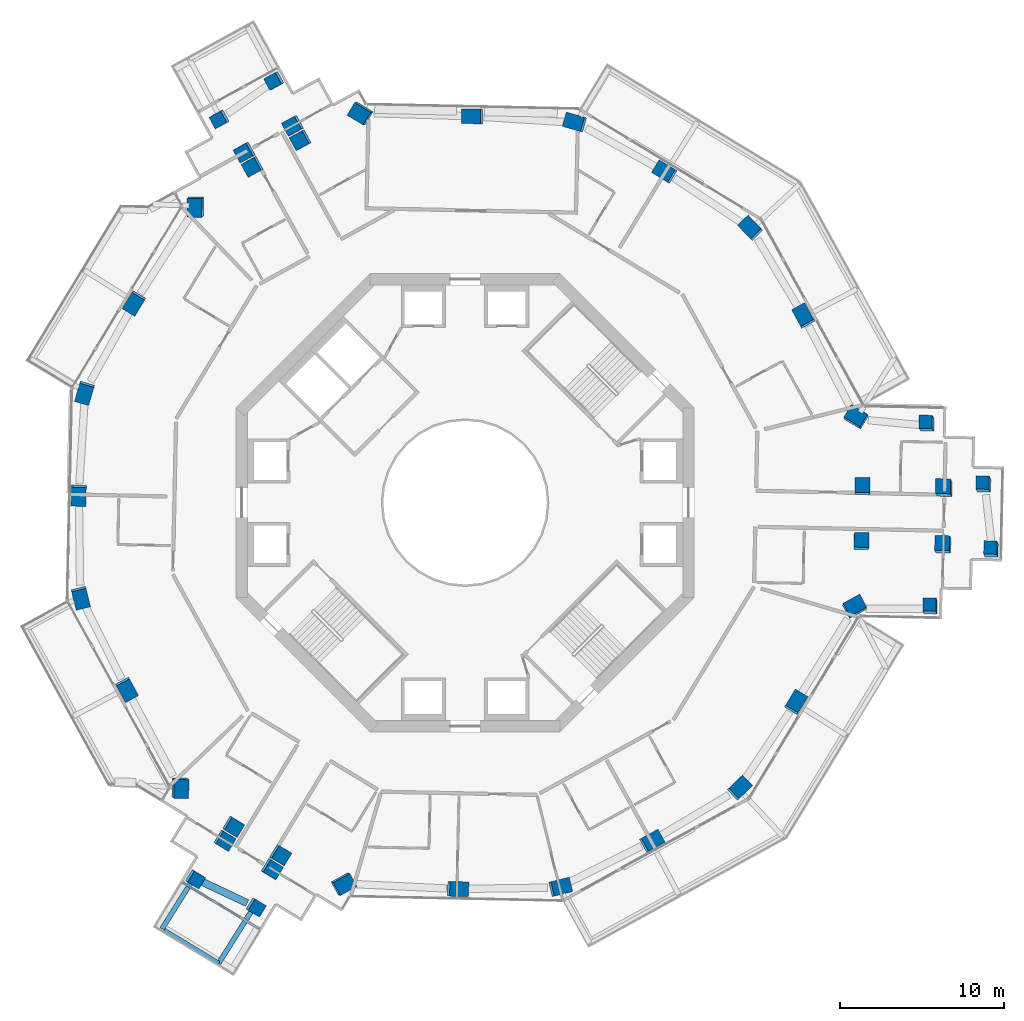
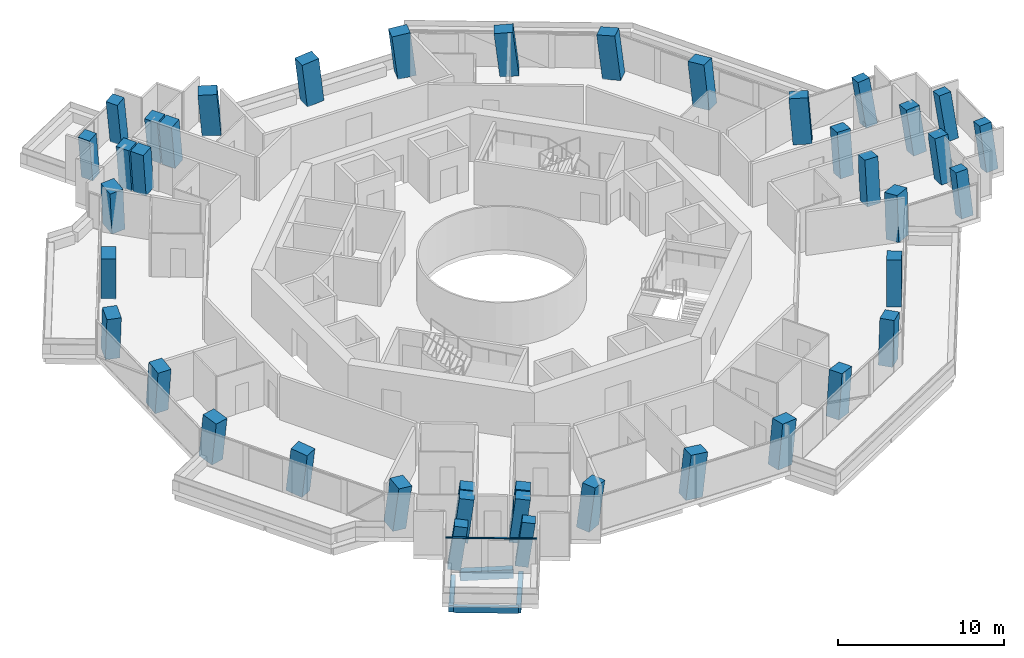
# One storey, part 1 of 22: 41 columns, 4 beams, 1 member, 1 element without a shape of its own.
"""IFC4 building model written with IfcOpenShell, lengths in metres."""

from ifc_helpers import new_model, si_unit, direction, frame, origin, origin_2d, place, context, subcontext, project, spatial, rectangle, extrude, material, layer, layer_set, material_profile, profile_set, type_object, element, aggregate, save


model = new_model("IFC4")

# Units and contexts
model_context = context("Model", 3, precision=1e-05, world=origin(), true_north=direction((0.0, 1.0)))
body_context = subcontext(model_context, "Body", "Model", "MODEL_VIEW")
ifc_project = project(units=[si_unit("LENGTHUNIT", "METRE"), si_unit("AREAUNIT", "SQUARE_METRE"), si_unit("VOLUMEUNIT", "CUBIC_METRE"), si_unit("PLANEANGLEUNIT", "RADIAN"), si_unit("MASSUNIT", "GRAM", prefix="KILO")], contexts=[model_context])

# Site, building, storey
site_placement = place(None, origin())
site = spatial("IfcSite", under=ifc_project, at=site_placement, CompositionType="ELEMENT")
building_placement = place(site_placement, origin())
building = spatial("IfcBuilding", under=site, at=building_placement, Name="Verdalira Terraces Hotel", CompositionType="ELEMENT")
storey_placement = place(building_placement, frame((0.0, 0.0, 150.5)))
storey = spatial("IfcBuildingStorey", under=building, at=storey_placement, Name="L36", CompositionType="ELEMENT", Elevation=150.5)

# Columns
ifc_material_1 = material(Name="Concrete C60", Category="concrete")
ifc_material_profile_1 = material_profile(ifc_material_1, rectangle(XDim=1.149902, YDim=0.899902, at=origin_2d()), Name="RC 1150X900")
ifc_profile_set_1 = profile_set([ifc_material_profile_1], Name="Concrete C60")
column_type_1 = type_object("IfcColumnType", Name="Column RC 1150X900 C60", PredefinedType="COLUMN", material=ifc_profile_set_1)
column_1_placement = place(storey_placement, frame((-16.435791, 18.106445, 0.0), z_axis=(-0.085441544, -0.078828186, 0.993219945), x_axis=(0.014387845, 0.996663735, 0.080339219)))
element("IfcColumn", 1, at=column_1_placement, inside=storey, type_object=column_type_1, Name="Column C01", PredefinedType="COLUMN", context=body_context, shape_type="SweptSolid", body=[
    extrude(rectangle(XDim=1.149902, YDim=0.899902, at=origin_2d()), origin(), (0.0, 0.0, 1.0), 3.21167),
])
column_2_placement = place(storey_placement, frame((-20.193604, 12.229736, 0.0), z_axis=(-0.057418061, -0.096507973, 0.993674684), x_axis=(-0.515299129, -0.849621729, -0.112293037)))
element("IfcColumn", 2, at=column_2_placement, inside=storey, type_object=column_type_1, Name="Column C02", PredefinedType="COLUMN", context=body_context, shape_type="SweptSolid", body=[
    extrude(rectangle(XDim=1.149902, YDim=0.899902, at=origin_2d()), origin(), (0.0, 0.0, 1.0), 3.210205),
])
column_3_placement = place(storey_placement, frame((-23.232178, 6.749512, 0.0), z_axis=(-0.031170704, -0.11077004, 0.993357129), x_axis=(0.277188554, 0.953900326, 0.115068122)))
element("IfcColumn", 3, at=column_3_placement, inside=storey, type_object=column_type_1, Name="Column C03", PredefinedType="COLUMN", context=body_context, shape_type="SweptSolid", body=[
    extrude(rectangle(XDim=1.149902, YDim=0.899902, at=origin_2d()), origin(), (0.0, 0.0, 1.0), 3.211182),
])
column_4_placement = place(storey_placement, frame((-23.603271, 0.494385, 0.0), z_axis=(-0.001368902, -0.112325982, 0.993670468), x_axis=(-0.020539358, -0.993458621, -0.11233033)))
element("IfcColumn", 4, at=column_4_placement, inside=storey, type_object=column_type_1, Name="Column C04", PredefinedType="COLUMN", context=body_context, shape_type="SweptSolid", body=[
    extrude(rectangle(XDim=1.149902, YDim=0.899902, at=origin_2d()), origin(), (0.0, 0.0, 1.0), 3.210205),
])
column_5_placement = place(storey_placement, frame((-23.494385, -5.770752, 0.0), z_axis=(0.028357716, -0.111530214, 0.993356357), x_axis=(-0.23660071, 0.964768313, 0.115074788)))
element("IfcColumn", 5, at=column_5_placement, inside=storey, type_object=column_type_1, Name="Column C05", PredefinedType="COLUMN", context=body_context, shape_type="SweptSolid", body=[
    extrude(rectangle(XDim=1.149902, YDim=0.899902, at=origin_2d()), origin(), (0.0, 0.0, 1.0), 3.211182),
])
column_6_placement = place(storey_placement, frame((-20.687988, -11.373291, 0.0), z_axis=(0.054908013, -0.098028295, 0.993667733), x_axis=(0.478217839, -0.871024775, -0.112354524)))
element("IfcColumn", 6, at=column_6_placement, inside=storey, type_object=column_type_1, Name="Column C06", PredefinedType="COLUMN", context=body_context, shape_type="SweptSolid", body=[
    extrude(rectangle(XDim=1.149902, YDim=0.899902, at=origin_2d()), origin(), (0.0, 0.0, 1.0), 3.210205),
])
column_7_placement = place(storey_placement, frame((-17.433594, -17.396973, 0.0), z_axis=(0.083381119, -0.082164986, 0.993124617), x_axis=(0.027717216, 0.99640068, 0.080108935)))
element("IfcColumn", 7, at=column_7_placement, inside=storey, type_object=column_type_1, Name="Column C07", PredefinedType="COLUMN", context=body_context, shape_type="SweptSolid", body=[
    extrude(rectangle(XDim=1.149902, YDim=0.899902, at=origin_2d()), origin(), (0.0, 0.0, 1.0), 3.211914),
])
column_8_placement = place(storey_placement, frame((-7.462891, -23.287109, 0.0), z_axis=(0.111057906, -0.034586822, 0.993211908), x_axis=(-0.870263238, -0.485983416, 0.080386663)))
element("IfcColumn", 8, at=column_8_placement, inside=storey, type_object=column_type_1, Name="Column C10", PredefinedType="COLUMN", context=body_context, shape_type="SweptSolid", body=[
    extrude(rectangle(XDim=1.149902, YDim=0.899902, at=origin_2d()), origin(), (0.0, 0.0, 1.0), 3.21167),
])
column_9_placement = place(storey_placement, frame((-0.494385, -23.603271, 0.0), z_axis=(0.112325982, -0.001368902, 0.993670468), x_axis=(0.993458621, -0.020539358, -0.11233033)))
element("IfcColumn", 9, at=column_9_placement, inside=storey, type_object=column_type_1, Name="Column C11", PredefinedType="COLUMN", context=body_context, shape_type="SweptSolid", body=[
    extrude(rectangle(XDim=1.149902, YDim=0.899902, at=origin_2d()), origin(), (0.0, 0.0, 1.0), 3.210205),
])
column_10_placement = place(storey_placement, frame((5.770752, -23.494385, 0.0), z_axis=(0.111530214, 0.028357716, 0.993356357), x_axis=(-0.964768313, -0.23660071, 0.115074788)))
element("IfcColumn", 10, at=column_10_placement, inside=storey, type_object=column_type_1, Name="Column C12", PredefinedType="COLUMN", context=body_context, shape_type="SweptSolid", body=[
    extrude(rectangle(XDim=1.149902, YDim=0.899902, at=origin_2d()), origin(), (0.0, 0.0, 1.0), 3.211182),
])
column_11_placement = place(storey_placement, frame((11.373291, -20.687988, 0.0), z_axis=(0.098028295, 0.054908013, 0.993667733), x_axis=(0.871024775, 0.478217839, -0.112354524)))
element("IfcColumn", 11, at=column_11_placement, inside=storey, type_object=column_type_1, Name="Column C13", PredefinedType="COLUMN", context=body_context, shape_type="SweptSolid", body=[
    extrude(rectangle(XDim=1.149902, YDim=0.899902, at=origin_2d()), origin(), (0.0, 0.0, 1.0), 3.210205),
])
column_12_placement = place(storey_placement, frame((16.744873, -17.461182, 0.0), z_axis=(0.082336971, 0.080284249, 0.993365523), x_axis=(-0.717087466, -0.687431138, 0.114995638)))
element("IfcColumn", 12, at=column_12_placement, inside=storey, type_object=column_type_1, Name="Column C14", PredefinedType="COLUMN", context=body_context, shape_type="SweptSolid", body=[
    extrude(rectangle(XDim=1.149902, YDim=0.899902, at=origin_2d()), origin(), (0.0, 0.0, 1.0), 3.211182),
])
column_13_placement = place(storey_placement, frame((20.193604, -12.229736, 0.0), z_axis=(0.057418061, 0.096507973, 0.993674684), x_axis=(0.515299129, 0.849621729, -0.112293037)))
element("IfcColumn", 13, at=column_13_placement, inside=storey, type_object=column_type_1, Name="Column C15", PredefinedType="COLUMN", context=body_context, shape_type="SweptSolid", body=[
    extrude(rectangle(XDim=1.149902, YDim=0.899902, at=origin_2d()), origin(), (0.0, 0.0, 1.0), 3.210205),
])
column_14_placement = place(storey_placement, frame((23.783203, -6.399414, 0.0), z_axis=(0.029415142, 0.113328106, 0.993122092), x_axis=(-0.876529294, -0.474633129, 0.08012359)))
element("IfcColumn", 14, at=column_14_placement, inside=storey, type_object=column_type_1, Name="Column C16", PredefinedType="COLUMN", context=body_context, shape_type="SweptSolid", body=[
    extrude(rectangle(XDim=1.149902, YDim=0.899902, at=origin_2d()), origin(), (0.0, 0.0, 1.0), 3.211914),
])
column_15_placement = place(storey_placement, frame((23.898682, 5.180664, 0.0), z_axis=(-0.025617194, 0.113414997, 0.993217397), x_axis=(0.856238754, -0.510292454, 0.080354263)))
element("IfcColumn", 15, at=column_15_placement, inside=storey, type_object=column_type_1, Name="Column C21", PredefinedType="COLUMN", context=body_context, shape_type="SweptSolid", body=[
    extrude(rectangle(XDim=1.149902, YDim=0.899902, at=origin_2d()), origin(), (0.0, 0.0, 1.0), 3.21167),
])
column_16_placement = place(storey_placement, frame((20.687988, 11.373291, 0.0), z_axis=(-0.054908013, 0.098028295, 0.993667733), x_axis=(-0.478217839, 0.871024775, -0.112354524)))
element("IfcColumn", 16, at=column_16_placement, inside=storey, type_object=column_type_1, Name="Column C22", PredefinedType="COLUMN", context=body_context, shape_type="SweptSolid", body=[
    extrude(rectangle(XDim=1.149902, YDim=0.899902, at=origin_2d()), origin(), (0.0, 0.0, 1.0), 3.210205),
])
column_17_placement = place(storey_placement, frame((17.461182, 16.744873, 0.0), z_axis=(-0.080284249, 0.082336971, 0.993365523), x_axis=(0.687431138, -0.717087466, 0.114995638)))
element("IfcColumn", 17, at=column_17_placement, inside=storey, type_object=column_type_1, Name="Column C23", PredefinedType="COLUMN", context=body_context, shape_type="SweptSolid", body=[
    extrude(rectangle(XDim=1.149902, YDim=0.899902, at=origin_2d()), origin(), (0.0, 0.0, 1.0), 3.211182),
])
column_18_placement = place(storey_placement, frame((12.229736, 20.193604, 0.0), z_axis=(-0.096507973, 0.057418061, 0.993674684), x_axis=(-0.849621729, 0.515299129, -0.112293037)))
element("IfcColumn", 18, at=column_18_placement, inside=storey, type_object=column_type_1, Name="Column C24", PredefinedType="COLUMN", context=body_context, shape_type="SweptSolid", body=[
    extrude(rectangle(XDim=1.149902, YDim=0.899902, at=origin_2d()), origin(), (0.0, 0.0, 1.0), 3.210205),
])
column_19_placement = place(storey_placement, frame((6.749512, 23.232178, 0.0), z_axis=(-0.11077004, 0.031170704, 0.993357129), x_axis=(0.953900326, -0.277188554, 0.115068122)))
element("IfcColumn", 19, at=column_19_placement, inside=storey, type_object=column_type_1, Name="Column C25", PredefinedType="COLUMN", context=body_context, shape_type="SweptSolid", body=[
    extrude(rectangle(XDim=1.149902, YDim=0.899902, at=origin_2d()), origin(), (0.0, 0.0, 1.0), 3.211182),
])
column_20_placement = place(storey_placement, frame((0.494385, 23.603271, 0.0), z_axis=(-0.112325982, 0.001368902, 0.993670468), x_axis=(-0.993458621, 0.020539358, -0.11233033)))
element("IfcColumn", 20, at=column_20_placement, inside=storey, type_object=column_type_1, Name="Column C26", PredefinedType="COLUMN", context=body_context, shape_type="SweptSolid", body=[
    extrude(rectangle(XDim=1.149902, YDim=0.899902, at=origin_2d()), origin(), (0.0, 0.0, 1.0), 3.210205),
])
column_21_placement = place(storey_placement, frame((-6.349365, 23.796387, 0.0), z_axis=(-0.11287217, -0.031087352, 0.993123079), x_axis=(0.848846004, -0.522533817, 0.080117862)))
element("IfcColumn", 21, at=column_21_placement, inside=storey, type_object=column_type_1, Name="Column C27", PredefinedType="COLUMN", context=body_context, shape_type="SweptSolid", body=[
    extrude(rectangle(XDim=1.149902, YDim=0.899902, at=origin_2d()), origin(), (0.0, 0.0, 1.0), 3.211914),
])
ifc_material_2 = material(Name="Concrete C60", Category="concrete")
ifc_material_profile_2 = material_profile(ifc_material_2, rectangle(XDim=0.800049, YDim=0.800049, at=origin_2d()), Name="RC 800X800")
ifc_profile_set_2 = profile_set([ifc_material_profile_2], Name="Concrete C60")
column_type_2 = type_object("IfcColumnType", Name="Column RC 800X800 C60", PredefinedType="COLUMN", material=ifc_profile_set_2)
column_22_placement = place(storey_placement, frame((-16.537109, -22.962891, 0.0), z_axis=(0.109516581, -0.077511043, 0.990958201), x_axis=(0.848259737, -0.512392808, -0.133824622)))
element("IfcColumn", 22, at=column_22_placement, inside=storey, type_object=column_type_2, Name="Column C08", PredefinedType="COLUMN", context=body_context, shape_type="SweptSolid", body=[
    extrude(rectangle(XDim=0.800049, YDim=0.800049, at=origin_2d()), origin(), (0.0, 0.0, 1.0), 3.218994),
])
column_23_placement = place(storey_placement, frame((-12.836426, -24.689697, 0.0), z_axis=(0.117590733, -0.059933341, 0.991251943), x_axis=(0.847109179, -0.514861108, -0.131620963)))
element("IfcColumn", 23, at=column_23_placement, inside=storey, type_object=column_type_2, Name="Column C09", PredefinedType="COLUMN", context=body_context, shape_type="SweptSolid", body=[
    extrude(rectangle(XDim=0.800049, YDim=0.800049, at=origin_2d()), origin(), (0.0, 0.0, 1.0), 3.218018),
])
column_24_placement = place(storey_placement, frame((28.43335, -6.386963, 0.0), z_axis=(-0.044921432, 0.135294567, 0.989786565), x_axis=(0.998775597, -0.014468687, 0.047307133)))
element("IfcColumn", 24, at=column_24_placement, inside=storey, type_object=column_type_2, Name="Column C17", PredefinedType="COLUMN", context=body_context, shape_type="SweptSolid", body=[
    extrude(rectangle(XDim=0.800049, YDim=0.800049, at=origin_2d()), origin(), (0.0, 0.0, 1.0), 3.2229),
])
column_25_placement = place(storey_placement, frame((32.166504, -2.924316, 0.0), z_axis=(-0.061227097, 0.152350533, 0.986428182), x_axis=(0.030796399, 0.988100158, -0.150697248)))
element("IfcColumn", 25, at=column_25_placement, inside=storey, type_object=column_type_2, Name="Column C18", PredefinedType="COLUMN", context=body_context, shape_type="SweptSolid", body=[
    extrude(rectangle(XDim=0.800049, YDim=0.800049, at=origin_2d()), origin(), (0.0, 0.0, 1.0), 3.233887),
])
column_26_placement = place(storey_placement, frame((31.709717, 1.046143, 0.0), z_axis=(-0.079947734, 0.14986429, 0.985468952), x_axis=(0.032984551, 0.988489837, -0.147647764)))
element("IfcColumn", 26, at=column_26_placement, inside=storey, type_object=column_type_2, Name="Column C19", PredefinedType="COLUMN", context=body_context, shape_type="SweptSolid", body=[
    extrude(rectangle(XDim=0.800049, YDim=0.800049, at=origin_2d()), origin(), (0.0, 0.0, 1.0), 3.237061),
])
column_27_placement = place(storey_placement, frame((28.24707, 4.779541, 0.0), z_axis=(-0.09744774, 0.13345283, 0.986252645), x_axis=(-0.995024556, 0.007585121, -0.099340823)))
element("IfcColumn", 27, at=column_27_placement, inside=storey, type_object=column_type_2, Name="Column C20", PredefinedType="COLUMN", context=body_context, shape_type="SweptSolid", body=[
    extrude(rectangle(XDim=0.800049, YDim=0.800049, at=origin_2d()), origin(), (0.0, 0.0, 1.0), 3.234375),
])
column_28_placement = place(storey_placement, frame((-11.61792, 25.802979, 0.0), z_axis=(-0.121878759, -0.056123386, 0.990956979), x_axis=(-0.867752275, -0.478638224, -0.133833629)))
element("IfcColumn", 28, at=column_28_placement, inside=storey, type_object=column_type_2, Name="Column C28", PredefinedType="COLUMN", context=body_context, shape_type="SweptSolid", body=[
    extrude(rectangle(XDim=0.800049, YDim=0.800049, at=origin_2d()), origin(), (0.0, 0.0, 1.0), 3.218994),
])
column_29_placement = place(storey_placement, frame((-14.963623, 23.46167, 0.0), z_axis=(-0.110761098, -0.071994714, 0.991235966), x_axis=(-0.869168093, -0.476645831, -0.131740572)))
element("IfcColumn", 29, at=column_29_placement, inside=storey, type_object=column_type_2, Name="Column C29", PredefinedType="COLUMN", context=body_context, shape_type="SweptSolid", body=[
    extrude(rectangle(XDim=0.800049, YDim=0.800049, at=origin_2d()), origin(), (0.0, 0.0, 1.0), 3.218262),
])
ifc_material_3 = material(Name="Concrete C60", Category="concrete")
ifc_material_profile_3 = material_profile(ifc_material_3, rectangle(XDim=0.899902, YDim=0.899902, at=origin_2d()), Name="RC 900X900")
ifc_profile_set_3 = profile_set([ifc_material_profile_3], Name="Concrete C60")
column_type_3 = type_object("IfcColumnType", Name="Column RC 900X900 C60", PredefinedType="COLUMN", material=ifc_profile_set_3)
for number, where, z_axis, x_axis, name in (
    (30, (-10.015869, 22.17627, 0.0), (-0.105060182, -0.04850101, 0.993282442), (-0.480826352, 0.876778932, -0.008045083), "Column C30"),
    (31, (-12.957275, 20.559082, 0.0), (-0.097232072, -0.06241402, 0.993302781), (-0.482472785, 0.875876165, 0.007807412), "Column C31"),
):
    element("IfcColumn", number, at=place(storey_placement, frame(where, z_axis=z_axis, x_axis=x_axis)), inside=storey, type_object=column_type_3, Name=name, PredefinedType="COLUMN", context=body_context, shape_type="SweptSolid", body=[
        extrude(rectangle(XDim=0.899902, YDim=0.899902, at=origin_2d()), origin(), (0.0, 0.0, 1.0), 3.211426),
    ])
column_30_placement = place(storey_placement, frame((-10.48291, 23.060547, 0.0), z_axis=(-0.109180046, -0.050753146, 0.992725458), x_axis=(-0.480971724, 0.87669891, -0.008076037)))
element("IfcColumn", 32, at=column_30_placement, inside=storey, type_object=column_type_3, Name="Column C32", PredefinedType="COLUMN", context=body_context, shape_type="SweptSolid", body=[
    extrude(rectangle(XDim=0.899902, YDim=0.899902, at=origin_2d()), origin(), (0.0, 0.0, 1.0), 3.213379),
])
column_31_placement = place(storey_placement, frame((-13.438965, 21.435547, 0.0), z_axis=(-0.101280814, -0.064734624, 0.992749528), x_axis=(-0.482867275, 0.875658481, 0.007837054)))
element("IfcColumn", 33, at=column_31_placement, inside=storey, type_object=column_type_3, Name="Column C33", PredefinedType="COLUMN", context=body_context, shape_type="SweptSolid", body=[
    extrude(rectangle(XDim=0.899902, YDim=0.899902, at=origin_2d()), origin(), (0.0, 0.0, 1.0), 3.213135),
])
for number, where, z_axis, x_axis, name in (
    (34, (-14.197266, -19.762207, 0.0), (0.09456945, -0.066669942, 0.993283312), (-0.518356742, -0.855126642, -0.008044564), "Column C34"),
    (35, (-11.326172, -21.500732, 0.0), (0.102704904, -0.053062933, 0.993295539), (-0.517593662, -0.855590895, 0.007811617), "Column C35"),
):
    element("IfcColumn", number, at=place(storey_placement, frame(where, z_axis=z_axis, x_axis=x_axis)), inside=storey, type_object=column_type_3, Name=name, PredefinedType="COLUMN", context=body_context, shape_type="SweptSolid", body=[
        extrude(rectangle(XDim=0.899902, YDim=0.899902, at=origin_2d()), origin(), (0.0, 0.0, 1.0), 3.211426),
    ])
for number, where, z_axis, x_axis, name in (
    (36, (-14.729492, -20.608887, 0.0), (0.098543411, -0.069139941, 0.992727991), (-0.518547736, -0.855010553, -0.008074636), "Column C36"),
    (37, (-11.844238, -22.356201, 0.0), (0.106750522, -0.055388705, 0.992741868), (-0.517029803, -0.85593148, 0.007841177), "Column C37"),
):
    element("IfcColumn", number, at=place(storey_placement, frame(where, z_axis=z_axis, x_axis=x_axis)), inside=storey, type_object=column_type_3, Name=name, PredefinedType="COLUMN", context=body_context, shape_type="SweptSolid", body=[
        extrude(rectangle(XDim=0.899902, YDim=0.899902, at=origin_2d()), origin(), (0.0, 0.0, 1.0), 3.213379),
    ])
for number, where, z_axis, x_axis, name in (
    (38, (24.213135, -2.414062, 0.0), (0.010490804, 0.115246804, 0.993281489), (0.99973299, -0.021661387, -0.008045652), "Column C38"),
    (39, (24.283447, 0.94165, 0.0), (-0.005473538, 0.115476451, 0.993295137), (0.999773315, -0.019806427, 0.007811851), "Column C39"),
):
    element("IfcColumn", number, at=place(storey_placement, frame(where, z_axis=z_axis, x_axis=x_axis)), inside=storey, type_object=column_type_3, Name=name, PredefinedType="COLUMN", context=body_context, shape_type="SweptSolid", body=[
        extrude(rectangle(XDim=0.899902, YDim=0.899902, at=origin_2d()), origin(), (0.0, 0.0, 1.0), 3.211426),
    ])
column_32_placement = place(storey_placement, frame((29.222168, -2.634766, 0.0), z_axis=(-0.062632836, 0.138654575, 0.988358253), x_axis=(0.997822192, -0.011828335, 0.064891942)))
element("IfcColumn", 40, at=column_32_placement, inside=storey, type_object=column_type_3, Name="Column C40", PredefinedType="COLUMN", context=body_context, shape_type="SweptSolid", body=[
    extrude(rectangle(XDim=0.899902, YDim=0.899902, at=origin_2d()), origin(), (0.0, 0.0, 1.0), 3.227539),
])
column_33_placement = place(storey_placement, frame((29.294922, 0.83667, 0.0), z_axis=(-0.079028324, 0.138715107, 0.987174069), x_axis=(0.996663404, -0.009280722, 0.081092096)))
element("IfcColumn", 41, at=column_33_placement, inside=storey, type_object=column_type_3, Name="Column C41", PredefinedType="COLUMN", context=body_context, shape_type="SweptSolid", body=[
    extrude(rectangle(XDim=0.899902, YDim=0.899902, at=origin_2d()), origin(), (0.0, 0.0, 1.0), 3.231445),
])

# Beams
ifc_material_4 = material(Name="Concrete C40", Category="concrete")
ifc_material_profile_4 = material_profile(ifc_material_4, rectangle(XDim=0.300049, YDim=0.5, at=origin_2d()), Name="RC 300X500")
ifc_profile_set_4 = profile_set([ifc_material_profile_4], Name="Concrete C40")
beam_type_1 = type_object("IfcBeamType", Name="Balcony cantilever beam RC 300X500 C40", PredefinedType="BEAM", material=ifc_profile_set_4)
beam_1_placement = place(storey_placement, frame((-16.783936, -23.276611, -0.560059), z_axis=(-0.532289848, -0.846562176, 0.0), x_axis=(0.846562176, -0.532289848, 0.0)))
element("IfcBeam", 42, at=beam_1_placement, inside=storey, type_object=beam_type_1, Name="Balcony cantilever beam R19-1", PredefinedType="BEAM", context=body_context, shape_type="SweptSolid", body=[
    extrude(rectangle(XDim=0.300049, YDim=0.5, at=origin_2d()), origin(), (0.0, 0.0, 1.0), 3.25415),
])
beam_2_placement = place(storey_placement, frame((-13.085938, -25.008789, -0.560059), z_axis=(-0.532246101, -0.846589681, 0.0), x_axis=(0.846589681, -0.532246101, 0.0)))
element("IfcBeam", 43, at=beam_2_placement, inside=storey, type_object=beam_type_1, Name="Balcony cantilever beam R19-2", PredefinedType="BEAM", context=body_context, shape_type="SweptSolid", body=[
    extrude(rectangle(XDim=0.300049, YDim=0.5, at=origin_2d()), origin(), (0.0, 0.0, 1.0), 3.688477),
])
ifc_material_5 = material(Name="Concrete C40", Category="concrete")
ifc_material_profile_5 = material_profile(ifc_material_5, rectangle(XDim=0.25, YDim=0.449951, at=origin_2d()), Name="RC 250X450")
ifc_profile_set_5 = profile_set([ifc_material_profile_5], Name="Concrete C40")
beam_type_2 = type_object("IfcBeamType", Name="Balcony edge beam RC 250X450 C40", PredefinedType="BEAM", material=ifc_profile_set_5)
beam_3_placement = place(storey_placement, frame((-18.387939, -26.109375, -0.534912), z_axis=(0.855377563, -0.518005044, 0.0), x_axis=(0.518005044, 0.855377563, 0.0)))
element("IfcBeam", 44, at=beam_3_placement, inside=storey, type_object=beam_type_2, Name="Balcony edge beam R19-1", PredefinedType="BEAM", context=body_context, shape_type="SweptSolid", body=[
    extrude(rectangle(XDim=0.25, YDim=0.449951, at=origin_2d()), origin(), (0.0, 0.0, 1.0), 3.90332),
])

# Curtain wall, member
ifc_material_6 = material(Name="Clear glass", Category="glass")
ifc_layer = layer(ifc_material_6, 0.14990234375)
ifc_layer_set = layer_set([ifc_layer], Name="CW3 curtain wall")
curtain_wall_type = type_object("IfcCurtainWallType", Name="CW3 curtain wall", PredefinedType="NOTDEFINED", material=ifc_layer_set)
curtain_wall_placement = place(storey_placement, origin())
curtain_wall = element("IfcCurtainWall", 45, at=curtain_wall_placement, inside=storey, type_object=curtain_wall_type, Name="CW3 curtain wall L36 edge 19", PredefinedType="NOTDEFINED")
ifc_material_7 = material(Name="Terracotta frame", Category="masonry")
ifc_material_profile_6 = material_profile(ifc_material_7, rectangle(XDim=0.120117, YDim=0.064941, at=origin_2d()), Name="TR 65x120")
ifc_profile_set_6 = profile_set([ifc_material_profile_6], Name="Terracotta frame")
member_type = type_object("IfcMemberType", Name="CW3 transom 65x120", PredefinedType="USERDEFINED", material=ifc_profile_set_6)
member_placement = place(storey_placement, frame((-17.262695, -23.195557, 2.507568), z_axis=(0.855339106, -0.518068541, 0.0), x_axis=(0.518068541, 0.855339106, 0.0)))
member = element("IfcMember", 46, at=member_placement, type_object=member_type, Name="CW3 transom", ObjectType="TRANSOM", PredefinedType="USERDEFINED", context=body_context, shape_type="SweptSolid", body=[
    extrude(rectangle(XDim=0.120117, YDim=0.064941, at=origin_2d()), origin(), (0.0, 0.0, 1.0), 5.5),
])
aggregate(curtain_wall, [member])

# Beam
ifc_material_8 = material(Name="Concrete C50", Category="concrete")
ifc_material_profile_7 = material_profile(ifc_material_8, rectangle(XDim=0.449951, YDim=0.649902, at=origin_2d()), Name="RC 450X650")
ifc_profile_set_7 = profile_set([ifc_material_profile_7], Name="Concrete C50")
beam_type_3 = type_object("IfcBeamType", Name="Spandrel beam RC 450X650 C50", PredefinedType="SPANDREL", material=ifc_profile_set_7)
beam_4_placement = place(storey_placement, frame((-16.203369, -23.101562, -0.63501), z_axis=(0.904891478, -0.425642353, 0.0), x_axis=(0.425642353, 0.904891478, 0.0)))
element("IfcBeam", 47, at=beam_4_placement, inside=storey, type_object=beam_type_3, Name="Spandrel beam B08", PredefinedType="SPANDREL", context=body_context, shape_type="SweptSolid", body=[
    extrude(rectangle(XDim=0.449951, YDim=0.649902, at=origin_2d()), origin(), (0.0, 0.0, 1.0), 3.192627),
])

save(model, "model.ifc")
